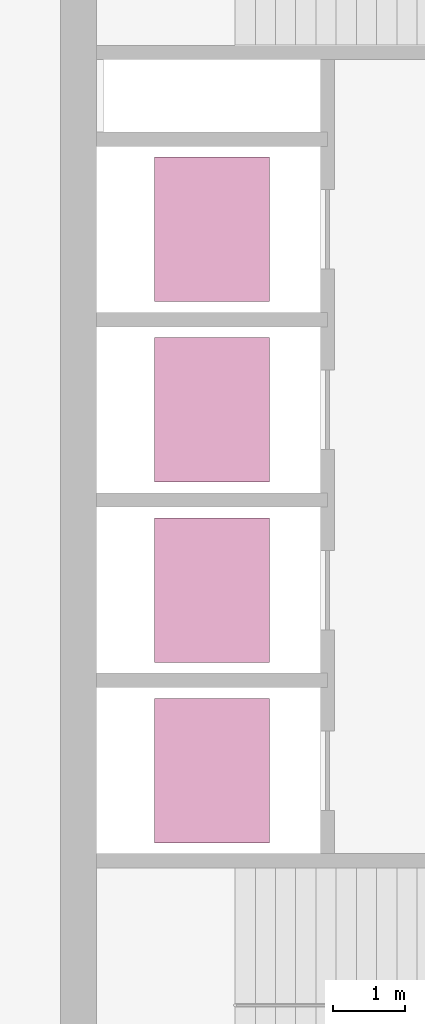
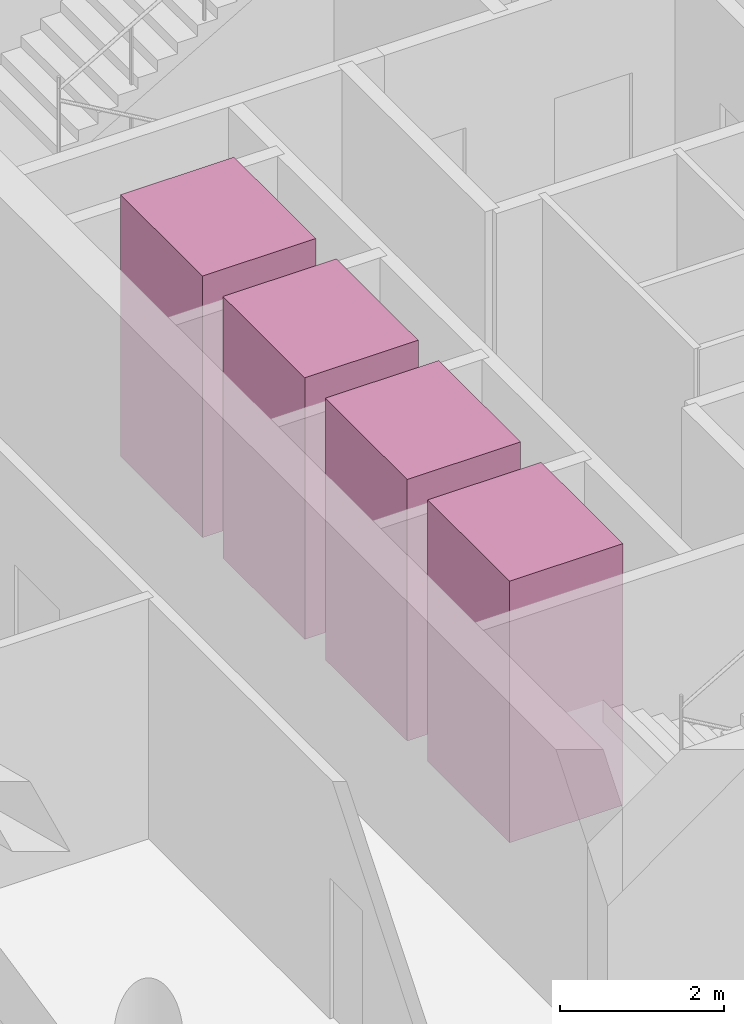
# One storey, part 8 of 8: 4 transport elements.
"""IFC4 building model written with IfcOpenShell, lengths in metres."""

from ifc_helpers import new_model, si_unit, direction, frame, origin, origin_2d, place, context, subcontext, project, spatial, rectangle, extrude, material, type_object, element, save


model = new_model("IFC4")

# Units and contexts
model_context = context("Model", 3, precision=1e-05, world=origin(), true_north=direction((0.0, 1.0)))
body_context = subcontext(model_context, "Body", "Model", "MODEL_VIEW")
ifc_project = project(units=[si_unit("LENGTHUNIT", "METRE"), si_unit("AREAUNIT", "SQUARE_METRE"), si_unit("VOLUMEUNIT", "CUBIC_METRE"), si_unit("PLANEANGLEUNIT", "RADIAN"), si_unit("MASSUNIT", "GRAM", prefix="KILO")], contexts=[model_context])

# Site, building, storey
site_placement = place(None, origin())
site = spatial("IfcSite", under=ifc_project, at=site_placement, CompositionType="ELEMENT")
building_placement = place(site_placement, origin())
building = spatial("IfcBuilding", under=site, at=building_placement, Name="Qaws Garden Tower", CompositionType="ELEMENT")
storey_placement = place(building_placement, frame((0.0, 0.0, 298.199951171875)))
storey = spatial("IfcBuildingStorey", under=building, at=storey_placement, Name="L72", CompositionType="ELEMENT", Elevation=298.199951171875)

# Transport elements
ifc_material = material(Name="Stainless steel 316", Category="steel")
transport_element_type = type_object("IfcTransportElementType", Name="Passenger lift car 2000x1600 1800 kg", PredefinedType="ELEVATOR", material=ifc_material)
for number, where, z_axis, x_axis, name in (
    (1, (10.10009765625, 13.64990234375, 0.0), (0.0, 0.0, 1.0), (1.0, 0.0, 0.0), "HR1"),
    (2, (10.10009765625, 16.14990234375, 0.0), (0.0, 0.0, 1.0), (1.0, 0.0, 0.0), "HR2"),
    (3, (10.10009765625, 18.64990234375, 0.0), (0.0, 0.0, 1.0), (1.0, 0.0, 0.0), "HR3"),
    (4, (10.10009765625, 21.14990234375, 0.0), (0.0, 0.0, 1.0), (1.0, 0.0, 0.0), "HR4"),
):
    element("IfcTransportElement", number, at=place(storey_placement, frame(where, z_axis=z_axis, x_axis=x_axis)), inside=storey, type_object=transport_element_type, Name=name, PredefinedType="ELEVATOR", context=body_context, shape_type="SweptSolid", body=[
        extrude(rectangle(XDim=1.60009765625, YDim=2.0, at=origin_2d()), origin(), (0.0, 0.0, 1.0), 3.89990234375),
    ])

save(model, "model.ifc")
